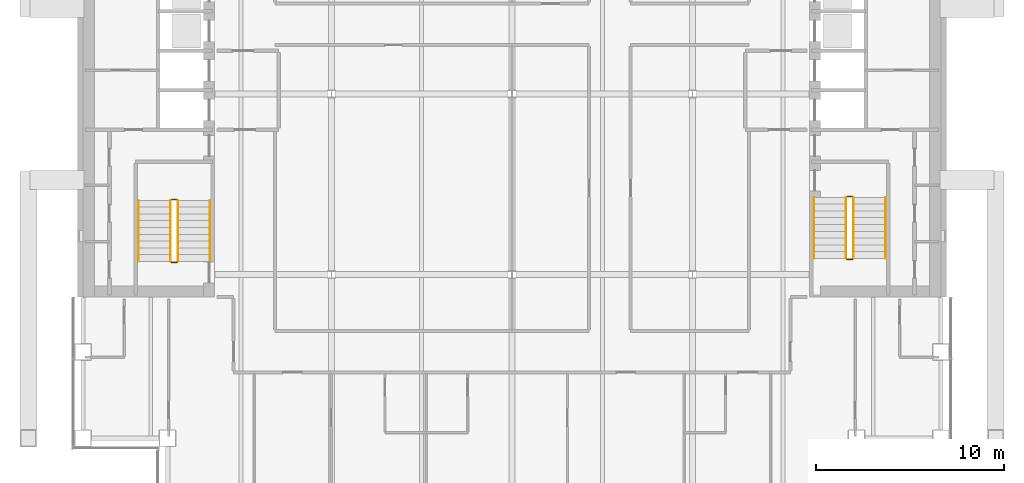
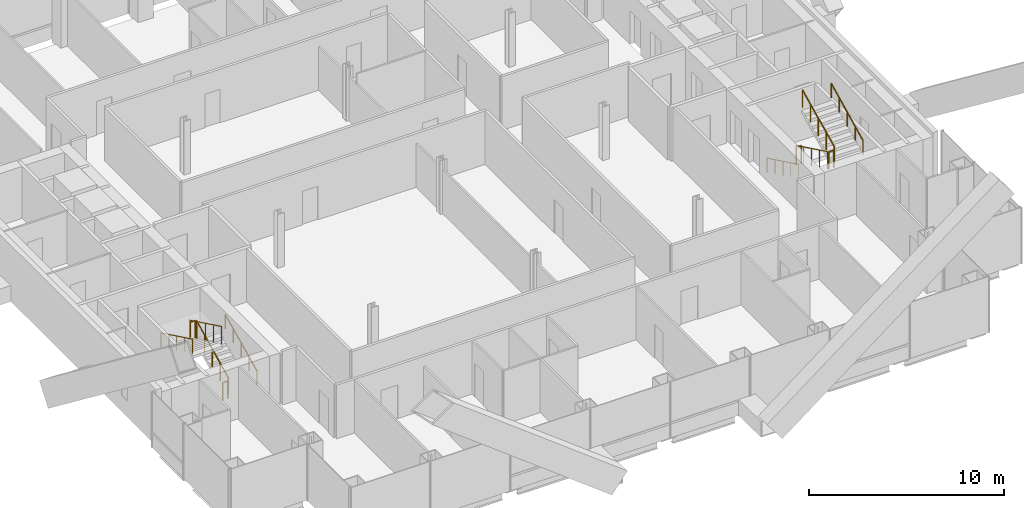
# One storey, part 16 of 17: 12 railings.
"""IFC4 building model written with IfcOpenShell, lengths in metres."""

from ifc_helpers import new_model, si_unit, direction, frame, origin, origin_2d, place, context, subcontext, project, spatial, circle, extrude, material, type_object, element, save


model = new_model("IFC4")

# Units and contexts
model_context = context("Model", 3, precision=1e-05, world=origin(), true_north=direction((0.0, 1.0)))
body_context = subcontext(model_context, "Body", "Model", "MODEL_VIEW")
ifc_project = project(units=[si_unit("LENGTHUNIT", "METRE"), si_unit("AREAUNIT", "SQUARE_METRE"), si_unit("VOLUMEUNIT", "CUBIC_METRE"), si_unit("PLANEANGLEUNIT", "RADIAN"), si_unit("MASSUNIT", "GRAM", prefix="KILO")], contexts=[model_context])

# Site, building, storey
site_placement = place(None, origin())
site = spatial("IfcSite", under=ifc_project, at=site_placement, CompositionType="ELEMENT")
building_placement = place(site_placement, origin())
building = spatial("IfcBuilding", under=site, at=building_placement, Name="Cobrizo Arcos Hotel Tower", CompositionType="ELEMENT")
storey_placement = place(building_placement, frame((0.0, 0.0, 106.5)))
storey = spatial("IfcBuildingStorey", under=building, at=storey_placement, Name="L26", CompositionType="ELEMENT", Elevation=106.5)

# Railings
ifc_material = material(Name="Stainless steel railing", Category="steel")
railing_type_1 = type_object("IfcRailingType", Name="Stair guard 1100", PredefinedType="GUARDRAIL", material=ifc_material)
railing_1_placement = place(storey_placement, frame((-17.75, -8.89990234375, 0.175048828125)))
element("IfcRailing", 1, at=railing_1_placement, inside=storey, type_object=railing_type_1, Name="L26 ST-W stair guard 1", PredefinedType="GUARDRAIL", context=body_context, shape_type="SweptSolid", body=[
    extrude(circle(Radius=0.02392578125, at=origin_2d()), frame((0.0, 0.0, 1.076171875), z_axis=(0.0, 0.899372665325, 0.437182809435), x_axis=(-1.0, 0.0, 0.0)), (0.0, 0.0, 1.0), 3.6025390625),
    extrude(circle(Radius=0.02099609375, at=origin_2d()), origin(), (0.0, 0.0, 1.0), 1.052001953125),
    extrude(circle(Radius=0.02099609375, at=origin_2d()), frame((0.0, 0.81005859375, 0.393798828125)), (0.0, 0.0, 1.0), 1.052001953125),
    extrude(circle(Radius=0.02099609375, at=origin_2d()), frame((0.0, 1.6201171875, 0.78759765625)), (0.0, 0.0, 1.0), 1.052001953125),
    extrude(circle(Radius=0.02099609375, at=origin_2d()), frame((0.0, 2.429931640625, 1.18115234375)), (0.0, 0.0, 1.0), 1.052001953125),
    extrude(circle(Radius=0.02099609375, at=origin_2d()), frame((0.0, 3.239990234375, 1.574951171875)), (0.0, 0.0, 1.0), 1.052001953125),
])
railing_2_placement = place(storey_placement, frame((-17.800048828125, -5.610107421875, 1.75)))
element("IfcRailing", 2, at=railing_2_placement, inside=storey, type_object=railing_type_1, Name="L26 ST-W stair guard 2", PredefinedType="GUARDRAIL", context=body_context, shape_type="SweptSolid", body=[
    extrude(circle(Radius=0.02392578125, at=origin_2d()), frame((0.0, 0.0, 1.076171875), z_axis=(-1.0, 0.0, 0.0), x_axis=(0.0, -1.0, 0.0)), (0.0, 0.0, 1.0), 0.300048828125),
    extrude(circle(Radius=0.02099609375, at=origin_2d()), origin(), (0.0, 0.0, 1.0), 1.052001953125),
    extrude(circle(Radius=0.02099609375, at=origin_2d()), frame((-0.300048828125, 0.0, 0.0)), (0.0, 0.0, 1.0), 1.052001953125),
])
railing_3_placement = place(storey_placement, frame((-18.14990234375, -5.659912109375, 1.925048828125)))
element("IfcRailing", 3, at=railing_3_placement, inside=storey, type_object=railing_type_1, Name="L26 ST-W stair guard 3", PredefinedType="GUARDRAIL", context=body_context, shape_type="SweptSolid", body=[
    extrude(circle(Radius=0.02392578125, at=origin_2d()), frame((0.0, 0.0, 1.076171875), z_axis=(0.0, -0.899372665325, 0.437182809435), x_axis=(1.0, 0.0, 0.0)), (0.0, 0.0, 1.0), 3.6025390625),
    extrude(circle(Radius=0.02099609375, at=origin_2d()), origin(), (0.0, 0.0, 1.0), 1.052001953125),
    extrude(circle(Radius=0.02099609375, at=origin_2d()), frame((0.0, -0.81005859375, 0.393798828125)), (0.0, 0.0, 1.0), 1.052001953125),
    extrude(circle(Radius=0.02099609375, at=origin_2d()), frame((0.0, -1.6201171875, 0.78759765625)), (0.0, 0.0, 1.0), 1.052001953125),
    extrude(circle(Radius=0.02099609375, at=origin_2d()), frame((0.0, -2.429931640625, 1.18115234375)), (0.0, 0.0, 1.0), 1.052001953125),
    extrude(circle(Radius=0.02099609375, at=origin_2d()), frame((0.0, -3.239990234375, 1.574951171875)), (0.0, 0.0, 1.0), 1.052001953125),
])
railing_4_placement = place(storey_placement, frame((-17.800048828125, -8.949951171875, 0.0)))
element("IfcRailing", 4, at=railing_4_placement, inside=storey, type_object=railing_type_1, Name="L26 ST-W stair guard 4", PredefinedType="GUARDRAIL", context=body_context, shape_type="SweptSolid", body=[
    extrude(circle(Radius=0.02392578125, at=origin_2d()), frame((0.0, 0.0, 1.076171875), z_axis=(-1.0, 0.0, 0.0), x_axis=(0.0, -1.0, 0.0)), (0.0, 0.0, 1.0), 0.300048828125),
    extrude(circle(Radius=0.02099609375, at=origin_2d()), origin(), (0.0, 0.0, 1.0), 1.052001953125),
    extrude(circle(Radius=0.02099609375, at=origin_2d()), frame((-0.300048828125, 0.0, 0.0)), (0.0, 0.0, 1.0), 1.052001953125),
])
railing_5_placement = place(storey_placement, frame((17.75, -5.5, 0.175048828125)))
element("IfcRailing", 5, at=railing_5_placement, inside=storey, type_object=railing_type_1, Name="L26 ST-E stair guard 1", PredefinedType="GUARDRAIL", context=body_context, shape_type="SweptSolid", body=[
    extrude(circle(Radius=0.02392578125, at=origin_2d()), frame((0.0, 0.0, 1.076171875), z_axis=(0.0, -0.899372665325, 0.437182809435), x_axis=(1.0, 0.0, 0.0)), (0.0, 0.0, 1.0), 3.6025390625),
    extrude(circle(Radius=0.02099609375, at=origin_2d()), origin(), (0.0, 0.0, 1.0), 1.052001953125),
    extrude(circle(Radius=0.02099609375, at=origin_2d()), frame((0.0, -0.81005859375, 0.393798828125)), (0.0, 0.0, 1.0), 1.052001953125),
    extrude(circle(Radius=0.02099609375, at=origin_2d()), frame((0.0, -1.6201171875, 0.78759765625)), (0.0, 0.0, 1.0), 1.052001953125),
    extrude(circle(Radius=0.02099609375, at=origin_2d()), frame((0.0, -2.429931640625, 1.18115234375)), (0.0, 0.0, 1.0), 1.052001953125),
    extrude(circle(Radius=0.02099609375, at=origin_2d()), frame((0.0, -3.239990234375, 1.574951171875)), (0.0, 0.0, 1.0), 1.052001953125),
])
railing_6_placement = place(storey_placement, frame((17.800048828125, -8.7900390625, 1.75)))
element("IfcRailing", 6, at=railing_6_placement, inside=storey, type_object=railing_type_1, Name="L26 ST-E stair guard 2", PredefinedType="GUARDRAIL", context=body_context, shape_type="SweptSolid", body=[
    extrude(circle(Radius=0.02392578125, at=origin_2d()), frame((0.0, 0.0, 1.076171875), z_axis=(1.0, 0.0, 0.0), x_axis=(0.0, 1.0, 0.0)), (0.0, 0.0, 1.0), 0.300048828125),
    extrude(circle(Radius=0.02099609375, at=origin_2d()), origin(), (0.0, 0.0, 1.0), 1.052001953125),
    extrude(circle(Radius=0.02099609375, at=origin_2d()), frame((0.300048828125, 0.0, 0.0)), (0.0, 0.0, 1.0), 1.052001953125),
])
railing_7_placement = place(storey_placement, frame((18.14990234375, -8.739990234375, 1.925048828125)))
element("IfcRailing", 7, at=railing_7_placement, inside=storey, type_object=railing_type_1, Name="L26 ST-E stair guard 3", PredefinedType="GUARDRAIL", context=body_context, shape_type="SweptSolid", body=[
    extrude(circle(Radius=0.02392578125, at=origin_2d()), frame((0.0, 0.0, 1.076171875), z_axis=(0.0, 0.899372665325, 0.437182809435), x_axis=(-1.0, 0.0, 0.0)), (0.0, 0.0, 1.0), 3.6025390625),
    extrude(circle(Radius=0.02099609375, at=origin_2d()), origin(), (0.0, 0.0, 1.0), 1.052001953125),
    extrude(circle(Radius=0.02099609375, at=origin_2d()), frame((0.0, 0.81005859375, 0.393798828125)), (0.0, 0.0, 1.0), 1.052001953125),
    extrude(circle(Radius=0.02099609375, at=origin_2d()), frame((0.0, 1.6201171875, 0.78759765625)), (0.0, 0.0, 1.0), 1.052001953125),
    extrude(circle(Radius=0.02099609375, at=origin_2d()), frame((0.0, 2.429931640625, 1.18115234375)), (0.0, 0.0, 1.0), 1.052001953125),
    extrude(circle(Radius=0.02099609375, at=origin_2d()), frame((0.0, 3.239990234375, 1.574951171875)), (0.0, 0.0, 1.0), 1.052001953125),
])
railing_8_placement = place(storey_placement, frame((17.800048828125, -5.449951171875, 0.0)))
element("IfcRailing", 8, at=railing_8_placement, inside=storey, type_object=railing_type_1, Name="L26 ST-E stair guard 4", PredefinedType="GUARDRAIL", context=body_context, shape_type="SweptSolid", body=[
    extrude(circle(Radius=0.02392578125, at=origin_2d()), frame((0.0, 0.0, 1.076171875), z_axis=(1.0, 0.0, 0.0), x_axis=(0.0, 1.0, 0.0)), (0.0, 0.0, 1.0), 0.300048828125),
    extrude(circle(Radius=0.02099609375, at=origin_2d()), origin(), (0.0, 0.0, 1.0), 1.052001953125),
    extrude(circle(Radius=0.02099609375, at=origin_2d()), frame((0.300048828125, 0.0, 0.0)), (0.0, 0.0, 1.0), 1.052001953125),
])
railing_type_2 = type_object("IfcRailingType", Name="Stair handrail", PredefinedType="HANDRAIL", material=ifc_material)
railing_9_placement = place(storey_placement, frame((-16.050048828125, -8.89990234375, 0.175048828125)))
element("IfcRailing", 9, at=railing_9_placement, inside=storey, type_object=railing_type_2, Name="L26 ST-W stair handrail 1", PredefinedType="HANDRAIL", context=body_context, shape_type="SweptSolid", body=[
    extrude(circle(Radius=0.02392578125, at=origin_2d()), frame((0.0, 0.0, 0.8759765625), z_axis=(0.0, 0.899372665325, 0.437182809435), x_axis=(-1.0, 0.0, 0.0)), (0.0, 0.0, 1.0), 3.6025390625),
    extrude(circle(Radius=0.02099609375, at=origin_2d()), origin(), (0.0, 0.0, 1.0), 0.851806640625),
    extrude(circle(Radius=0.02099609375, at=origin_2d()), frame((0.0, 0.81005859375, 0.393798828125)), (0.0, 0.0, 1.0), 0.851806640625),
    extrude(circle(Radius=0.02099609375, at=origin_2d()), frame((0.0, 1.6201171875, 0.78759765625)), (0.0, 0.0, 1.0), 0.851806640625),
    extrude(circle(Radius=0.02099609375, at=origin_2d()), frame((0.0, 2.429931640625, 1.18115234375)), (0.0, 0.0, 1.0), 0.851806640625),
    extrude(circle(Radius=0.02099609375, at=origin_2d()), frame((0.0, 3.239990234375, 1.574951171875)), (0.0, 0.0, 1.0), 0.851806640625),
])
for number, where, name in (
    (10, (-19.85009765625, -5.659912109375, 1.925048828125), "L26 ST-W stair handrail 2"),
    (11, (16.050048828125, -5.5, 0.175048828125), "L26 ST-E stair handrail 1"),
):
    element("IfcRailing", number, at=place(storey_placement, frame(where)), inside=storey, type_object=railing_type_2, Name=name, PredefinedType="HANDRAIL", context=body_context, shape_type="SweptSolid", body=[
        extrude(circle(Radius=0.02392578125, at=origin_2d()), frame((0.0, 0.0, 0.8759765625), z_axis=(0.0, -0.899372665325, 0.437182809435), x_axis=(1.0, 0.0, 0.0)), (0.0, 0.0, 1.0), 3.6025390625),
        extrude(circle(Radius=0.02099609375, at=origin_2d()), origin(), (0.0, 0.0, 1.0), 0.851806640625),
        extrude(circle(Radius=0.02099609375, at=origin_2d()), frame((0.0, -0.81005859375, 0.393798828125)), (0.0, 0.0, 1.0), 0.851806640625),
        extrude(circle(Radius=0.02099609375, at=origin_2d()), frame((0.0, -1.6201171875, 0.78759765625)), (0.0, 0.0, 1.0), 0.851806640625),
        extrude(circle(Radius=0.02099609375, at=origin_2d()), frame((0.0, -2.429931640625, 1.18115234375)), (0.0, 0.0, 1.0), 0.851806640625),
        extrude(circle(Radius=0.02099609375, at=origin_2d()), frame((0.0, -3.239990234375, 1.574951171875)), (0.0, 0.0, 1.0), 0.851806640625),
    ])
railing_10_placement = place(storey_placement, frame((19.85009765625, -8.739990234375, 1.925048828125)))
element("IfcRailing", 12, at=railing_10_placement, inside=storey, type_object=railing_type_2, Name="L26 ST-E stair handrail 2", PredefinedType="HANDRAIL", context=body_context, shape_type="SweptSolid", body=[
    extrude(circle(Radius=0.02392578125, at=origin_2d()), frame((0.0, 0.0, 0.8759765625), z_axis=(0.0, 0.899372665325, 0.437182809435), x_axis=(-1.0, 0.0, 0.0)), (0.0, 0.0, 1.0), 3.6025390625),
    extrude(circle(Radius=0.02099609375, at=origin_2d()), origin(), (0.0, 0.0, 1.0), 0.851806640625),
    extrude(circle(Radius=0.02099609375, at=origin_2d()), frame((0.0, 0.81005859375, 0.393798828125)), (0.0, 0.0, 1.0), 0.851806640625),
    extrude(circle(Radius=0.02099609375, at=origin_2d()), frame((0.0, 1.6201171875, 0.78759765625)), (0.0, 0.0, 1.0), 0.851806640625),
    extrude(circle(Radius=0.02099609375, at=origin_2d()), frame((0.0, 2.429931640625, 1.18115234375)), (0.0, 0.0, 1.0), 0.851806640625),
    extrude(circle(Radius=0.02099609375, at=origin_2d()), frame((0.0, 3.239990234375, 1.574951171875)), (0.0, 0.0, 1.0), 0.851806640625),
])

save(model, "model.ifc")
